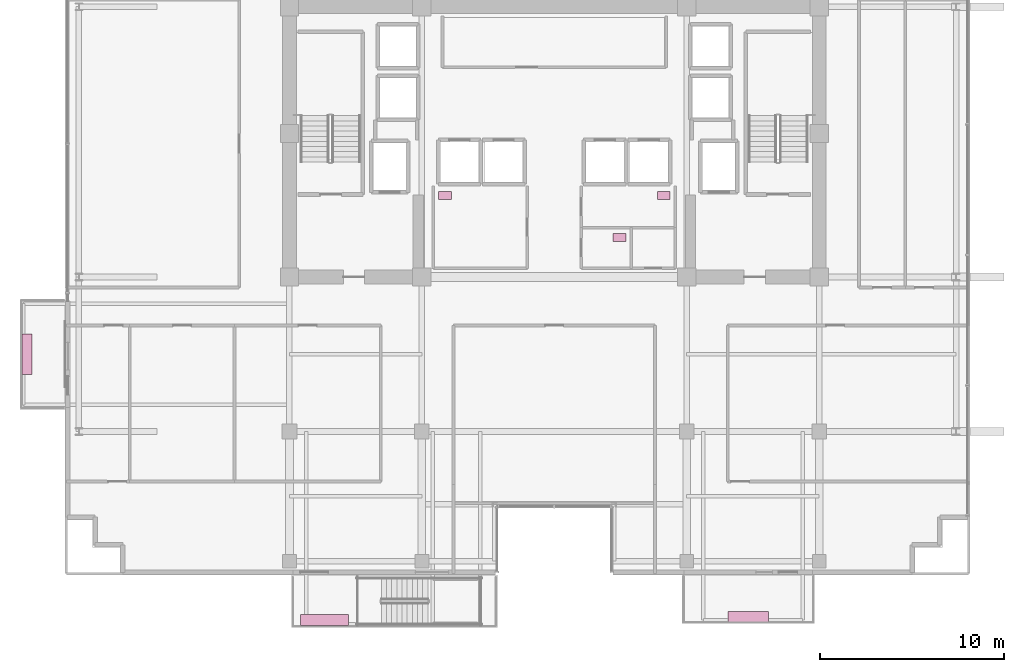
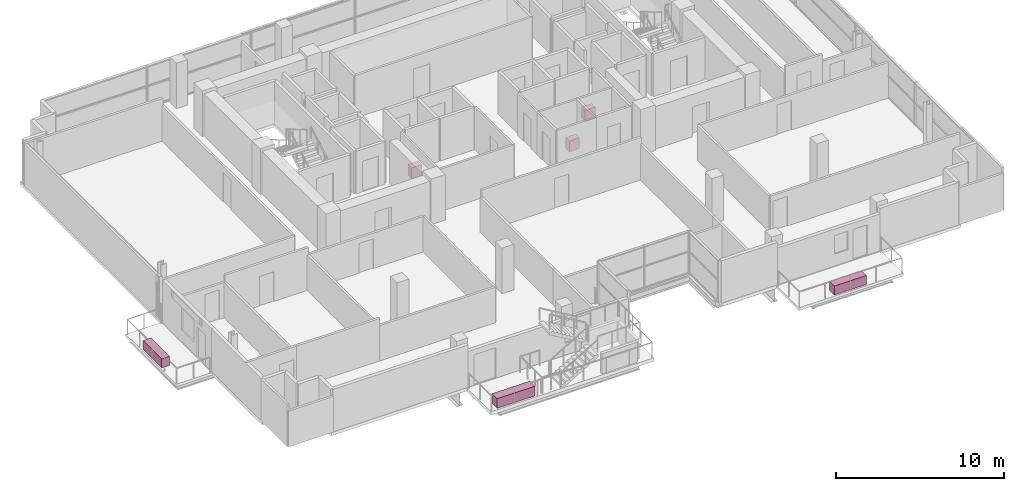
# One storey, part 23 of 23: 6 furnishings.
"""IFC4 building model written with IfcOpenShell, lengths in metres."""

from ifc_helpers import new_model, si_unit, direction, frame, origin, origin_2d, place, context, subcontext, project, spatial, rectangle, extrude, source, transform, mapped, material, type_object, element, save


model = new_model("IFC4")

# Units and contexts
model_context = context("Model", 3, precision=1e-05, world=origin(), true_north=direction((0.0, 1.0)))
body_context = subcontext(model_context, "Body", "Model", "MODEL_VIEW")
ifc_project = project(units=[si_unit("LENGTHUNIT", "METRE"), si_unit("AREAUNIT", "SQUARE_METRE"), si_unit("VOLUMEUNIT", "CUBIC_METRE"), si_unit("PLANEANGLEUNIT", "RADIAN"), si_unit("MASSUNIT", "GRAM", prefix="KILO")], contexts=[model_context])

# Site, building, storey
site_placement = place(None, origin())
site = spatial("IfcSite", under=ifc_project, at=site_placement, CompositionType="ELEMENT")
building_placement = place(site_placement, origin())
building = spatial("IfcBuilding", under=site, at=building_placement, Name="Zarnakvel Exchange Tower", CompositionType="ELEMENT")
storey_placement = place(building_placement, frame((0.0, 0.0, 146.199951171875)))
storey = spatial("IfcBuildingStorey", under=building, at=storey_placement, Name="L40", CompositionType="ELEMENT", Elevation=146.199951171875)

# Furnishings
ifc_material_1 = material(Name="Architectural Bronze Anodised Aluminium", Category="aluminium")
furnishing_element_type_1 = type_object("IfcFurnishingElementType", Name="PLNT-02", material=ifc_material_1)
shared_shape_1 = source(origin(), body_context, "Body", "SweptSolid", [
    extrude(rectangle(XDim=2.60009765625, YDim=0.60009765625, at=origin_2d()), origin(), (0.0, 0.0, 1.0), 0.699951171875),
])
furnishing_placement = place(storey_placement, frame((-12.5, -19.840087890625, 0.0), z_axis=(0.0, 0.0, 1.0), x_axis=(1.0, 0.0, 0.0)))
element("IfcFurnishingElement", 1, at=furnishing_placement, inside=storey, type_object=furnishing_element_type_1, Name="L40 Spiral Sky-Terrace Tropical Planter", ObjectType="PLANTER", context=body_context, shape_type="MappedRepresentation", body=[
    mapped(shared_shape_1, transform((0.0, 0.0, 0.0), x_axis=(1.0, 0.0, 0.0), y_axis=(0.0, 1.0, 0.0), z_axis=(0.0, 0.0, 1.0), scale=1.0)),
])
furnishing_element_type_2 = type_object("IfcFurnishingElementType", Name="PLNT-01", material=ifc_material_1)
shared_shape_2 = source(origin(), body_context, "Body", "SweptSolid", [
    extrude(rectangle(XDim=2.199951171875, YDim=0.550048828125, at=origin_2d()), origin(), (0.0, 0.0, 1.0), 0.64990234375),
])
for number, where, z_axis, x_axis, name in (
    (2, (10.550048828125, -19.669921875, -0.034912109375), (0.0, 0.0, 1.0), (1.0, 0.0, 0.0), "L40 Balcony Greenery Planter BAL-L40-SE"),
    (3, (-28.669921875, -5.39990234375, -0.034912109375), (0.0, 0.0, 1.0), (0.0, 1.0, 0.0), "L40 Balcony Greenery Planter BAL-L40-W"),
):
    element("IfcFurnishingElement", number, at=place(storey_placement, frame(where, z_axis=z_axis, x_axis=x_axis)), inside=storey, type_object=furnishing_element_type_2, Name=name, ObjectType="PLANTER", context=body_context, shape_type="MappedRepresentation", body=[
        mapped(shared_shape_2, transform((0.0, 0.0, 0.0), x_axis=(1.0, 0.0, 0.0), y_axis=(0.0, 1.0, 0.0), z_axis=(0.0, 0.0, 1.0), scale=1.0)),
    ])
ifc_material_2 = material(Name="Vitreous China Sanitaryware", Category="ceramic")
furnishing_element_type_3 = type_object("IfcFurnishingElementType", Name="SAN-WC", material=ifc_material_2)
shared_shape_3 = source(origin(), body_context, "Body", "SweptSolid", [
    extrude(rectangle(XDim=0.699951171875, YDim=0.449951171875, at=origin_2d()), origin(), (0.0, 0.0, 1.0), 0.780029296875),
])
for number, where, z_axis, x_axis, name in (
    (4, (-5.949951171875, 3.22998046875, 0.0), (0.0, 0.0, 1.0), (1.0, 0.0, 0.0), "L40 Sanitary Fixture (Male Toilet)"),
    (5, (5.949951171875, 3.22998046875, 0.0), (0.0, 0.0, 1.0), (1.0, 0.0, 0.0), "L40 Sanitary Fixture (Female Toilet)"),
    (6, (3.550048828125, 0.949951171875, 0.0), (0.0, 0.0, 1.0), (1.0, 0.0, 0.0), "L40 Sanitary Fixture (Accessible Toilet)"),
):
    element("IfcFurnishingElement", number, at=place(storey_placement, frame(where, z_axis=z_axis, x_axis=x_axis)), inside=storey, type_object=furnishing_element_type_3, Name=name, ObjectType="SANITARY_FIXTURE", context=body_context, shape_type="MappedRepresentation", body=[
        mapped(shared_shape_3, transform((0.0, 0.0, 0.0), x_axis=(1.0, 0.0, 0.0), y_axis=(0.0, 1.0, 0.0), z_axis=(0.0, 0.0, 1.0), scale=1.0)),
    ])

save(model, "model.ifc")
